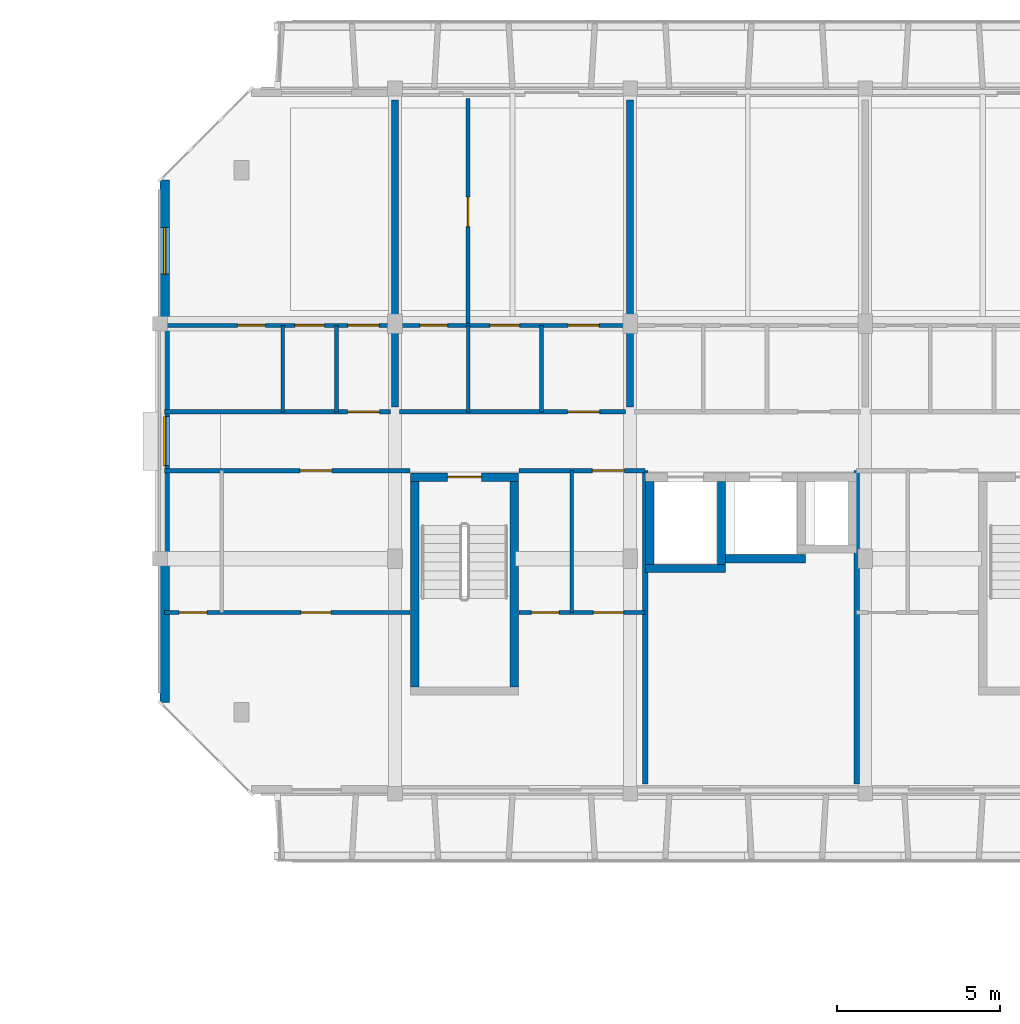
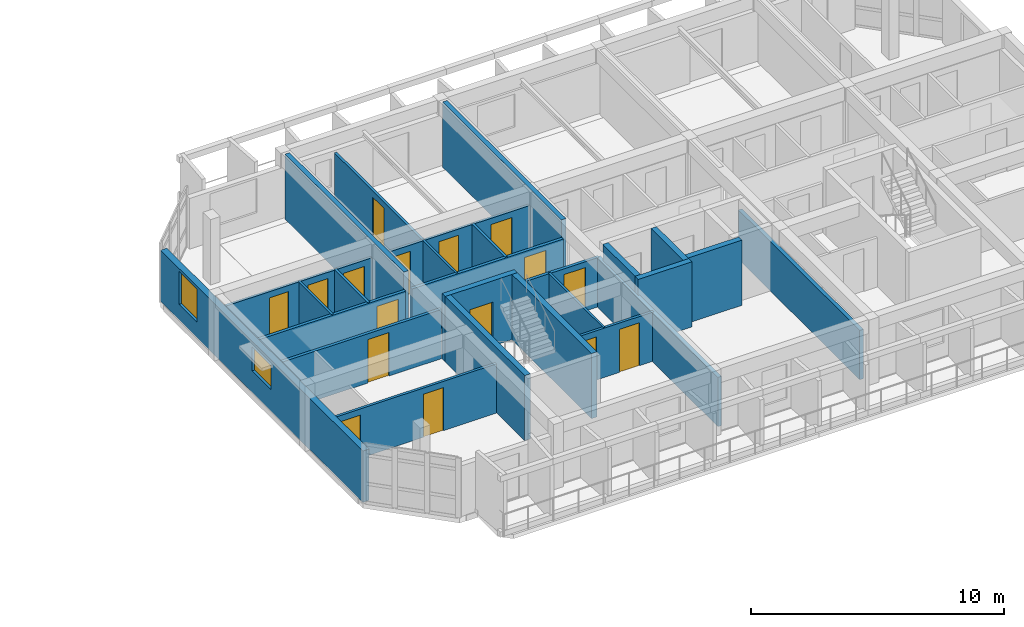
# One storey, part 20 of 31: 26 walls, 16 doors, 2 windows, 18 openings.
"""IFC4 building model written with IfcOpenShell, lengths in metres."""

import ifcopenshell
import ifcopenshell.guid

model = None  # the IFC model being written
_history = None  # IfcOwnerHistory: only IFC2X3 demands one
_inside = {}  # id of a spatial element -> (the spatial element, [elements in it])
_under = {}  # id of a project, library or spatial element -> (it, [spatial elements below it])
_declared = {}  # id of a project -> (the project, [libraries it declares])
_typed = {}  # id of a type object -> (the type object, [elements of that type])
_made_of = {}  # id of a material, layer set ... -> (it, [elements and type objects made of it])


def new_model(schema):
    """Start an empty IFC model of exactly this schema.

    Asked for "IFC4X3", IfcOpenShell would pick the latest addendum, in which some entities
    have other attributes; the version numbers below select the first issue.
    IFC2X3 requires an IfcOwnerHistory on every rooted entity: one is made here for all.
    """
    global model, _history
    if schema == "IFC4X3":
        model = ifcopenshell.file(schema_version=(4, 3, 0, 0))
    else:
        model = ifcopenshell.file(schema=schema)
    _inside.clear()
    _under.clear()
    _declared.clear()
    _typed.clear()
    _made_of.clear()
    _history = None
    if model.schema == "IFC2X3":
        org = make("IfcOrganization", Name="unknown")
        user = make(
            "IfcPersonAndOrganization",
            ThePerson=make("IfcPerson", FamilyName="unknown"),
            TheOrganization=org,
        )
        app = make(
            "IfcApplication",
            ApplicationDeveloper=org,
            Version="unknown",
            ApplicationFullName="unknown",
            ApplicationIdentifier="unknown",
        )
        _history = make(
            "IfcOwnerHistory",
            OwningUser=user,
            OwningApplication=app,
            ChangeAction="ADDED",
            CreationDate=0,
        )
    return model


def make(cls, **values):
    """One entity of the class cls with the attributes given. An attribute that is None is left unset."""
    return model.create_entity(
        cls, **{name: value for name, value in values.items() if value is not None}
    )


def rooted(cls, **values):
    """An entity with a GlobalId (a new one), such as an element, a storey or a relation."""
    return make(cls, GlobalId=ifcopenshell.guid.new(), OwnerHistory=_history, **values)


def si_unit(unit_type, name, prefix=None):
    """IfcSIUnit, for example si_unit("LENGTHUNIT", "METRE", prefix="MILLI")."""
    return make("IfcSIUnit", UnitType=unit_type, Prefix=prefix, Name=name)


def assignment(units):
    """IfcUnitAssignment: the units of a project."""
    return None if units is None else make("IfcUnitAssignment", Units=units)


def point(xyz):
    """IfcCartesianPoint."""
    return None if xyz is None else make("IfcCartesianPoint", Coordinates=xyz)


def direction(xyz):
    """IfcDirection."""
    return None if xyz is None else make("IfcDirection", DirectionRatios=xyz)


def frame(location, z_axis=None, x_axis=None):
    """IfcAxis2Placement3D, a coordinate frame: its origin and axes. An axis left out is left unset."""
    return make(
        "IfcAxis2Placement3D",
        Location=point(location),
        Axis=direction(z_axis),
        RefDirection=direction(x_axis),
    )


def frame_2d(location, x_axis=None):
    """IfcAxis2Placement2D, a coordinate frame in the plane: its origin and x axis."""
    return make(
        "IfcAxis2Placement2D", Location=point(location), RefDirection=direction(x_axis)
    )


def origin():
    """The frame at (0, 0, 0) with its axes left unset."""
    return frame((0.0, 0.0, 0.0))


def place(relative_to, where):
    """IfcLocalPlacement: puts the frame where relative to a parent placement (None: the world)."""
    return make(
        "IfcLocalPlacement", PlacementRelTo=relative_to, RelativePlacement=where
    )


def context(
    kind, dimensions, precision=None, world=None, true_north=None, identifier=None
):
    """IfcGeometricRepresentationContext, for example the 3D "Model" context."""
    return make(
        "IfcGeometricRepresentationContext",
        ContextIdentifier=identifier,
        ContextType=kind,
        CoordinateSpaceDimension=dimensions,
        Precision=precision,
        WorldCoordinateSystem=world,
        TrueNorth=true_north,
    )


def subcontext(parent, identifier, kind, view, scale=None):
    """IfcGeometricRepresentationSubContext, for example "Body" below "Model"."""
    return make(
        "IfcGeometricRepresentationSubContext",
        ContextIdentifier=identifier,
        ContextType=kind,
        ParentContext=parent,
        TargetScale=scale,
        TargetView=view,
    )


def project(units=None, contexts=None):
    """IfcProject with its units and contexts."""
    return rooted(
        "IfcProject",
        Name="project",
        RepresentationContexts=contexts,
        UnitsInContext=assignment(units),
    )


def spatial(cls, under=None, at=None, **own):
    """A site, building, storey or space (cls), placed at a placement, below another one or the project."""
    s = rooted(cls, ObjectPlacement=at, **own)
    if under is not None:
        _under.setdefault(under.id(), (under, []))[1].append(s)
    return s


def profile(cls, at=None, kind="AREA", **sizes):
    """A parametric profile (cls). Its sizes go by their IFC names, for example OverallWidth=200.0."""
    return make(cls, ProfileType=kind, Position=at, **sizes)


def rectangle(**sizes):
    """IfcRectangleProfileDef."""
    return profile("IfcRectangleProfileDef", **sizes)


def extrude(swept, where, along, depth):
    """IfcExtrudedAreaSolid: the profile swept, set in the frame where, extruded along a direction by depth."""
    return make(
        "IfcExtrudedAreaSolid",
        SweptArea=swept,
        Position=where,
        ExtrudedDirection=direction(along),
        Depth=depth,
    )


def shape(context_of_items, identifier, shape_type, items):
    """IfcShapeRepresentation: the items that make up one representation, for example the "Body"."""
    return make(
        "IfcShapeRepresentation",
        ContextOfItems=context_of_items,
        RepresentationIdentifier=identifier,
        RepresentationType=shape_type,
        Items=items,
    )


def material(Name=None, Category=None):
    """IfcMaterial."""
    return make("IfcMaterial", Name=Name, Category=Category)


def layer(
    of_material, thickness, ventilated=None, Name=None, Category=None, Priority=None
):
    """IfcMaterialLayer: one layer of a wall or slab, of a material (None: an air gap)."""
    return make(
        "IfcMaterialLayer",
        Material=of_material,
        LayerThickness=thickness,
        IsVentilated=ventilated,
        Name=Name,
        Category=Category,
        Priority=Priority,
    )


def layer_set(layers, Name=None):
    """IfcMaterialLayerSet."""
    return make("IfcMaterialLayerSet", MaterialLayers=layers, LayerSetName=Name)


def made_of(thing, what):
    """Note that an element or type object is made of a material, layer set ...; save() writes the relation."""
    if what is not None:
        _made_of.setdefault(what.id(), (what, []))[1].append(thing)
    return thing


def type_object(cls, material=None, **own):
    """A type object (cls), such as IfcWallType, which elements share."""
    return made_of(rooted(cls, **own), material)


def element(
    cls,
    number,
    at=None,
    inside=None,
    cuts=None,
    type_object=None,
    material=None,
    context=None,
    identifier="Body",
    shape_type=None,
    held_by="IfcProductDefinitionShape",
    body=None,
    shapes=None,
    **own,
):
    """One element of the class cls, such as IfcWall. Its Tag is "e" and its number.

    at: its placement. inside: the storey or other place that contains it. cuts: it is an
    opening in that element (IfcRelVoidsElement). A single representation is given by context,
    identifier, shape_type and body (its items); several are given by shapes. held_by: the class
    of the entity that holds the representations. save() writes the other relations.
    """
    e = rooted(cls, Tag="e%d" % number, ObjectPlacement=at, **own)
    if body is not None:
        shapes = [shape(context, identifier, shape_type, body)]
    if shapes is not None:
        e.Representation = make(held_by, Representations=shapes)
    if inside is not None:
        _inside.setdefault(inside.id(), (inside, []))[1].append(e)
    if cuts is not None:
        rooted(
            "IfcRelVoidsElement", RelatingBuildingElement=cuts, RelatedOpeningElement=e
        )
    if type_object is not None:
        _typed.setdefault(type_object.id(), (type_object, []))[1].append(e)
    return made_of(e, material)


def fill(opening, filler):
    """IfcRelFillsElement: the door or window that sits in an opening."""
    return rooted(
        "IfcRelFillsElement",
        RelatingOpeningElement=opening,
        RelatedBuildingElement=filler,
    )


def aggregate(whole, parts):
    """IfcRelAggregates: a whole, such as a stair, and the parts it consists of."""
    return rooted("IfcRelAggregates", RelatingObject=whole, RelatedObjects=parts)


def save(model, path):
    """Write the relations noted so far, then the file.

    IfcRelAggregates (storeys below a building ...), IfcRelContainedInSpatialStructure (elements
    in a storey), IfcRelDefinesByType, IfcRelAssociatesMaterial and IfcRelDeclares: one each for
    every whole, place, type object, material and project.
    """
    for whole, parts in _under.values():
        aggregate(whole, parts)
    for where, things in _inside.values():
        rooted(
            "IfcRelContainedInSpatialStructure",
            RelatedElements=things,
            RelatingStructure=where,
        )
    for kind, things in _typed.values():
        rooted("IfcRelDefinesByType", RelatedObjects=things, RelatingType=kind)
    for what, things in _made_of.values():
        rooted("IfcRelAssociatesMaterial", RelatedObjects=things, RelatingMaterial=what)
    for by, libraries in _declared.values():
        rooted("IfcRelDeclares", RelatingContext=by, RelatedDefinitions=libraries)
    model.write(path)


model = new_model("IFC4")

# Units and contexts
model_context = context("Model", 3, precision=1e-05, world=origin(), true_north=direction((0.0, 1.0)))
body_context = subcontext(model_context, "Body", "Model", "MODEL_VIEW")
ifc_project = project(units=[si_unit("LENGTHUNIT", "METRE"), si_unit("AREAUNIT", "SQUARE_METRE"), si_unit("VOLUMEUNIT", "CUBIC_METRE"), si_unit("PLANEANGLEUNIT", "RADIAN"), si_unit("MASSUNIT", "GRAM", prefix="KILO")], contexts=[model_context])

# Site, building, storey
site_placement = place(None, origin())
site = spatial("IfcSite", under=ifc_project, at=site_placement, CompositionType="ELEMENT")
building_placement = place(site_placement, origin())
building = spatial("IfcBuilding", under=site, at=building_placement, Name="Ochrevale Crest", CompositionType="ELEMENT")
storey_placement = place(building_placement, frame((0.0, 0.0, 37.050048828125)))
storey = spatial("IfcBuildingStorey", under=building, at=storey_placement, Name="L11", CompositionType="ELEMENT", Elevation=37.050048828125)

# Wall, opening, door
ifc_material_1 = material(Name="Gypsum plasterboard", Category="gypsum")
ifc_layer_1 = layer(ifc_material_1, 0.139892578125)
ifc_layer_set_1 = layer_set([ifc_layer_1], Name="Gypsum plasterboard")
wall_type_1 = type_object("IfcWallType", Name="WL-COR-140", PredefinedType="PARTITIONING", material=ifc_layer_set_1)
wall_1_placement = place(storey_placement, frame((129.739990234375, 83.699951171875, 0.0), z_axis=(0.0, 0.0, 1.0), x_axis=(1.0, 0.0, 0.0)))
wall_1 = element("IfcWall", 1, at=wall_1_placement, inside=storey, type_object=wall_type_1, Name="Apartment D-L11-U1 corridor wall", PredefinedType="PARTITIONING", context=body_context, shape_type="SweptSolid", body=[
    extrude(rectangle(XDim=6.919921875, YDim=0.139892578125, at=frame_2d((3.4599609375, 0.0))), origin(), (0.0, 0.0, 1.0), 2.3798828125),
])
opening_1_placement = place(wall_1_placement, frame((5.60498046875, 0.0, 0.0)))
opening_1 = element("IfcOpeningElement", 2, at=opening_1_placement, cuts=wall_1, Name="Opening FD01", PredefinedType="OPENING", context=body_context, shape_type="SweptSolid", body=[
    extrude(rectangle(XDim=0.97998046875, YDim=2.10009765625, at=frame_2d((0.489990234375, 1.050048828125))), frame((0.0, 0.080078125, 0.0), z_axis=(0.0, -1.0, 0.0), x_axis=(1.0, 0.0, 0.0)), (0.0, 0.0, 1.0), 0.159912109375),
])
ifc_material_2 = material(Name="Solid-core FSC hardwood", Category="wood")
door_type_1 = type_object("IfcDoorType", Name="DR-APT-950", OperationType="NOTDEFINED", PredefinedType="DOOR", material=ifc_material_2)
door_1_placement = place(opening_1_placement, origin())
door_1 = element("IfcDoor", 3, at=door_1_placement, inside=storey, type_object=door_type_1, Name="Apartment D-L11-U1 entrance door", OperationType="SINGLE_SWING_LEFT", OverallHeight=2.10009765625, OverallWidth=0.97998046875, PredefinedType="DOOR", context=body_context, shape_type="SweptSolid", body=[
    extrude(rectangle(XDim=0.97998046875, YDim=2.10009765625, at=frame_2d((0.489990234375, 1.050048828125))), frame((0.0, 0.02490234375, 0.0), z_axis=(0.0, -1.0, 0.0), x_axis=(1.0, 0.0, 0.0)), (0.0, 0.0, 1.0), 0.050048828125),
])
fill(opening_1, door_1)

wall_2_placement = place(storey_placement, frame((136.93994140625, 83.699951171875, 0.0), z_axis=(0.0, 0.0, 1.0), x_axis=(1.0, 0.0, 0.0)))
wall_2 = element("IfcWall", 4, at=wall_2_placement, inside=storey, type_object=wall_type_1, Name="Apartment D-L11-U2 corridor wall", PredefinedType="PARTITIONING", context=body_context, shape_type="SweptSolid", body=[
    extrude(rectangle(XDim=6.920166015625, YDim=0.139892578125, at=frame_2d((3.4599609375, 0.0))), origin(), (0.0, 0.0, 1.0), 2.3798828125),
])
opening_2_placement = place(wall_2_placement, frame((5.14501953125, 0.0, 0.0)))
opening_2 = element("IfcOpeningElement", 5, at=opening_2_placement, cuts=wall_2, Name="Opening FD01", PredefinedType="OPENING", context=body_context, shape_type="SweptSolid", body=[
    extrude(rectangle(XDim=0.97998046875, YDim=2.10009765625, at=frame_2d((0.489990234375, 1.050048828125))), frame((0.0, 0.080078125, 0.0), z_axis=(0.0, -1.0, 0.0), x_axis=(1.0, 0.0, 0.0)), (0.0, 0.0, 1.0), 0.159912109375),
])
door_2_placement = place(opening_2_placement, origin())
door_2 = element("IfcDoor", 6, at=door_2_placement, inside=storey, type_object=door_type_1, Name="Apartment D-L11-U2 entrance door", OperationType="SINGLE_SWING_LEFT", OverallHeight=2.10009765625, OverallWidth=0.97998046875, PredefinedType="DOOR", context=body_context, shape_type="SweptSolid", body=[
    extrude(rectangle(XDim=0.97998046875, YDim=2.10009765625, at=frame_2d((0.489990234375, 1.050048828125))), frame((0.0, 0.02490234375, 0.0), z_axis=(0.0, -1.0, 0.0), x_axis=(1.0, 0.0, 0.0)), (0.0, 0.0, 1.0), 0.050048828125),
])
fill(opening_2, door_2)

wall_3_placement = place(storey_placement, frame((129.739990234375, 81.89990234375, 0.0), z_axis=(0.0, 0.0, 1.0), x_axis=(1.0, 0.0, 0.0)))
wall_3 = element("IfcWall", 7, at=wall_3_placement, inside=storey, type_object=wall_type_1, Name="Suite D-L11-CW corridor wall", PredefinedType="PARTITIONING", context=body_context, shape_type="SweptSolid", body=[
    extrude(rectangle(XDim=7.52001953125, YDim=0.139892578125, at=frame_2d((3.760009765625, 0.0))), origin(), (0.0, 0.0, 1.0), 2.3798828125),
])
opening_3_placement = place(wall_3_placement, frame((4.14501953125, 0.0, 0.0)))
opening_3 = element("IfcOpeningElement", 8, at=opening_3_placement, cuts=wall_3, Name="Opening FD01", PredefinedType="OPENING", context=body_context, shape_type="SweptSolid", body=[
    extrude(rectangle(XDim=0.97998046875, YDim=2.10009765625, at=frame_2d((0.489990234375, 1.050048828125))), frame((0.0, 0.080078125, 0.0), z_axis=(0.0, -1.0, 0.0), x_axis=(1.0, 0.0, 0.0)), (0.0, 0.0, 1.0), 0.159912109375),
])
door_3_placement = place(opening_3_placement, origin())
door_3 = element("IfcDoor", 9, at=door_3_placement, inside=storey, type_object=door_type_1, Name="Suite D-L11-CW entrance door", OperationType="SINGLE_SWING_LEFT", OverallHeight=2.10009765625, OverallWidth=0.97998046875, PredefinedType="DOOR", context=body_context, shape_type="SweptSolid", body=[
    extrude(rectangle(XDim=0.97998046875, YDim=2.10009765625, at=frame_2d((0.489990234375, 1.050048828125))), frame((0.0, 0.02490234375, 0.0), z_axis=(0.0, -1.0, 0.0), x_axis=(1.0, 0.0, 0.0)), (0.0, 0.0, 1.0), 0.050048828125),
])
fill(opening_3, door_3)

wall_4_placement = place(storey_placement, frame((140.590087890625, 81.89990234375, 0.0), z_axis=(0.0, 0.0, 1.0), x_axis=(1.0, 0.0, 0.0)))
wall_4 = element("IfcWall", 10, at=wall_4_placement, inside=storey, type_object=wall_type_1, Name="Suite D-L11-MW corridor wall", PredefinedType="PARTITIONING", context=body_context, shape_type="SweptSolid", body=[
    extrude(rectangle(XDim=3.869873046875, YDim=0.139892578125, at=frame_2d((1.93505859375, 0.0))), origin(), (0.0, 0.0, 1.0), 2.3798828125),
])
opening_4_placement = place(wall_4_placement, frame((3.23779296875, 0.0, 0.0), z_axis=(0.0, 0.0, 1.0), x_axis=(-1.0, 0.0, 0.0)))
opening_4 = element("IfcOpeningElement", 11, at=opening_4_placement, cuts=wall_4, Name="Opening FD01", PredefinedType="OPENING", context=body_context, shape_type="SweptSolid", body=[
    extrude(rectangle(XDim=0.97998046875, YDim=2.10009765625, at=frame_2d((0.489990234375, 1.050048828125))), frame((0.0, 0.080078125, 0.0), z_axis=(0.0, -1.0, 0.0), x_axis=(1.0, 0.0, 0.0)), (0.0, 0.0, 1.0), 0.159912109375),
])
door_4_placement = place(opening_4_placement, origin())
door_4 = element("IfcDoor", 12, at=door_4_placement, inside=storey, type_object=door_type_1, Name="Suite D-L11-MW entrance door", OperationType="SINGLE_SWING_RIGHT", OverallHeight=2.10009765625, OverallWidth=0.97998046875, PredefinedType="DOOR", context=body_context, shape_type="SweptSolid", body=[
    extrude(rectangle(XDim=0.97998046875, YDim=2.10009765625, at=frame_2d((0.489990234375, 1.050048828125))), frame((0.0, 0.02490234375, 0.0), z_axis=(0.0, -1.0, 0.0), x_axis=(1.0, 0.0, 0.0)), (0.0, 0.0, 1.0), 0.050048828125),
])
fill(opening_4, door_4)

ifc_material_3 = material(Name="Precast concrete C50/60", Category="concrete")
ifc_layer_2 = layer(ifc_material_3, 0.2548828125)
ifc_layer_set_2 = layer_set([ifc_layer_2], Name="Precast concrete C50/60")
wall_type_2 = type_object("IfcWallType", Name="WL-CORE-255", PredefinedType="SHEAR", material=ifc_layer_set_2)
wall_5_placement = place(storey_placement, frame((137.2724609375, 81.699951171875, 0.0), z_axis=(0.0, 0.0, 1.0), x_axis=(1.0, 0.0, 0.0)))
wall_5 = element("IfcWall", 13, at=wall_5_placement, inside=storey, type_object=wall_type_2, Name="Block D L11 Stair 1 precast core shear wall N", PredefinedType="SHEAR", context=body_context, shape_type="SweptSolid", body=[
    extrude(rectangle(XDim=3.304931640625, YDim=0.2548828125, at=frame_2d((1.65234375, 0.0))), origin(), (0.0, 0.0, 1.0), 3.14990234375),
])
opening_5_placement = place(wall_5_placement, frame((2.177490234375, 0.0, 0.0), z_axis=(0.0, 0.0, 1.0), x_axis=(-1.0, 0.0, 0.0)))
opening_5 = element("IfcOpeningElement", 14, at=opening_5_placement, cuts=wall_5, Name="Opening FD03", PredefinedType="OPENING", context=body_context, shape_type="SweptSolid", body=[
    extrude(rectangle(XDim=1.050048828125, YDim=2.1201171875, at=frame_2d((0.52490234375, 1.06005859375))), frame((0.0, 0.137451171875, 0.0), z_axis=(0.0, -1.0, 0.0), x_axis=(1.0, 0.0, 0.0)), (0.0, 0.0, 1.0), 0.27490234375),
])
door_type_2 = type_object("IfcDoorType", Name="DR-ST-1050", OperationType="NOTDEFINED", PredefinedType="DOOR", material=ifc_material_2)
door_5_placement = place(opening_5_placement, origin())
door_5 = element("IfcDoor", 15, at=door_5_placement, inside=storey, type_object=door_type_2, Name="Block D L11 fire stair 1 door", OperationType="SINGLE_SWING_RIGHT", OverallHeight=2.1201171875, OverallWidth=1.050048828125, PredefinedType="DOOR", context=body_context, shape_type="SweptSolid", body=[
    extrude(rectangle(XDim=1.050048828125, YDim=2.1201171875, at=frame_2d((0.52490234375, 1.06005859375))), frame((0.0, 0.02490234375, 0.0), z_axis=(0.0, -1.0, 0.0), x_axis=(1.0, 0.0, 0.0)), (0.0, 0.0, 1.0), 0.050048828125),
])
fill(opening_5, door_5)

# Walls
for number, where, z_axis, x_axis, name in (
    (16, (137.39990234375, 75.277587890625, 0.0), (0.0, 0.0, 1.0), (0.0, 1.0, 0.0), "Block D L11 Stair 1 precast core shear wall W"),
    (17, (140.449951171875, 75.277587890625, 0.0), (0.0, 0.0, 1.0), (0.0, 1.0, 0.0), "Block D L11 Stair 1 precast core shear wall E"),
):
    element("IfcWall", number, at=place(storey_placement, frame(where, z_axis=z_axis, x_axis=x_axis)), inside=storey, type_object=wall_type_2, Name=name, PredefinedType="SHEAR", context=body_context, shape_type="SweptSolid", body=[
        extrude(rectangle(XDim=6.294921875, YDim=0.2548828125, at=frame_2d((3.1474609375, 0.0))), origin(), (0.0, 0.0, 1.0), 3.14990234375),
    ])
wall_6_placement = place(storey_placement, frame((144.472412109375, 78.89990234375, 0.0), z_axis=(0.0, 0.0, 1.0), x_axis=(1.0, 0.0, 0.0)))
element("IfcWall", 18, at=wall_6_placement, inside=storey, type_object=wall_type_2, Name="Block D L11 Lift 1 precast shaft shear wall S", PredefinedType="SHEAR", context=body_context, shape_type="SweptSolid", body=[
    extrude(rectangle(XDim=2.455078125, YDim=0.2548828125, at=frame_2d((1.2275390625, 0.0))), origin(), (0.0, 0.0, 1.0), 3.14990234375),
])
for number, where, z_axis, x_axis, name in (
    (19, (144.60009765625, 79.027587890625, 0.0), (0.0, 0.0, 1.0), (0.0, 1.0, 0.0), "Block D L11 Lift 1 precast shaft shear wall W"),
    (20, (146.800048828125, 79.027587890625, 0.0), (0.0, 0.0, 1.0), (0.0, 1.0, 0.0), "Block D L11 Lift 1 precast shaft shear wall E"),
):
    element("IfcWall", number, at=place(storey_placement, frame(where, z_axis=z_axis, x_axis=x_axis)), inside=storey, type_object=wall_type_2, Name=name, PredefinedType="SHEAR", context=body_context, shape_type="SweptSolid", body=[
        extrude(rectangle(XDim=2.544921875, YDim=0.2548828125, at=frame_2d((1.2724609375, 0.0))), origin(), (0.0, 0.0, 1.0), 3.14990234375),
    ])
wall_7_placement = place(storey_placement, frame((146.922607421875, 79.199951171875, 0.0), z_axis=(0.0, 0.0, 1.0), x_axis=(1.0, 0.0, 0.0)))
element("IfcWall", 21, at=wall_7_placement, inside=storey, type_object=wall_type_2, Name="Block D L11 Lift 2 precast shaft shear wall S", PredefinedType="SHEAR", context=body_context, shape_type="SweptSolid", body=[
    extrude(rectangle(XDim=2.454833984375, YDim=0.2548828125, at=frame_2d((1.2275390625, 0.0))), origin(), (0.0, 0.0, 1.0), 3.14990234375),
])

# Wall, openings, windows
ifc_material_4 = material(Name="Clay face brickwork", Category="masonry")
ifc_layer_3 = layer(ifc_material_4, 0.2900390625)
ifc_layer_set_3 = layer_set([ifc_layer_3], Name="Clay face brickwork")
wall_type_3 = type_object("IfcWallType", Name="WL-EXT-BRICK-290", PredefinedType="SOLIDWALL", material=ifc_layer_set_3)
wall_8_placement = place(storey_placement, frame((129.7451171875, 90.800048828125, 0.0), z_axis=(0.0, 0.0, 1.0), x_axis=(0.0, -1.0, 0.0)))
wall_8 = element("IfcWall", 22, at=wall_8_placement, inside=storey, type_object=wall_type_3, Name="Block D L11 external facade wall E7", PredefinedType="SOLIDWALL", context=body_context, shape_type="SweptSolid", body=[
    extrude(rectangle(XDim=16.0, YDim=0.2900390625, at=frame_2d((8.0, 0.0))), origin(), (0.0, 0.0, 1.0), 2.47998046875),
])
opening_6_placement = place(wall_8_placement, frame((7.25, 0.0, 1.050048828125)))
opening_6 = element("IfcOpeningElement", 23, at=opening_6_placement, cuts=wall_8, Name="Opening W18", PredefinedType="OPENING", context=body_context, shape_type="SweptSolid", body=[
    extrude(rectangle(XDim=1.5, YDim=1.14990234375, at=frame_2d((0.75, 0.574951171875))), frame((0.0, 0.155029296875, 0.0), z_axis=(0.0, -1.0, 0.0), x_axis=(1.0, 0.0, 0.0)), (0.0, 0.0, 1.0), 0.31005859375),
])
opening_7_placement = place(wall_8_placement, frame((1.46240234375, 0.0, 0.75)))
opening_7 = element("IfcOpeningElement", 24, at=opening_7_placement, cuts=wall_8, Name="Opening W31", PredefinedType="OPENING", context=body_context, shape_type="SweptSolid", body=[
    extrude(rectangle(XDim=1.419921875, YDim=1.60009765625, at=frame_2d((0.7099609375, 0.800048828125))), frame((0.0, 0.155029296875, 0.0), z_axis=(0.0, -1.0, 0.0), x_axis=(1.0, 0.0, 0.0)), (0.0, 0.0, 1.0), 0.31005859375),
])
ifc_material_5 = material(Name="Anodised aluminium 6063-T5 and low-E double glazing", Category="aluminium")
window_type_1 = type_object("IfcWindowType", Name="WIN-W18", PartitioningType="SINGLE_PANEL", PredefinedType="WINDOW", material=ifc_material_5)
window_1_placement = place(opening_6_placement, origin())
window_1 = element("IfcWindow", 25, at=window_1_placement, inside=storey, type_object=window_type_1, Name="Block D L11 corridor end daylight window W", OverallHeight=1.14990234375, OverallWidth=1.5, PartitioningType="SINGLE_PANEL", PredefinedType="WINDOW", context=body_context, shape_type="SweptSolid", body=[
    extrude(rectangle(XDim=1.5, YDim=1.14990234375, at=frame_2d((0.75, 0.574951171875))), frame((0.0, 0.030029296875, 0.0), z_axis=(0.0, -1.0, 0.0), x_axis=(1.0, 0.0, 0.0)), (0.0, 0.0, 1.0), 0.06005859375),
])
fill(opening_6, window_1)
window_type_2 = type_object("IfcWindowType", Name="WIN-W31", PartitioningType="SINGLE_PANEL", PredefinedType="WINDOW", material=ifc_material_5)
window_2_placement = place(opening_7_placement, origin())
window_2 = element("IfcWindow", 26, at=window_2_placement, inside=storey, type_object=window_type_2, Name="Block D L11 side suite window W", OverallHeight=1.60009765625, OverallWidth=1.419921875, PartitioningType="SINGLE_PANEL", PredefinedType="WINDOW", context=body_context, shape_type="SweptSolid", body=[
    extrude(rectangle(XDim=1.419921875, YDim=1.60009765625, at=frame_2d((0.7099609375, 0.800048828125))), frame((0.0, 0.030029296875, 0.0), z_axis=(0.0, -1.0, 0.0), x_axis=(1.0, 0.0, 0.0)), (0.0, 0.0, 1.0), 0.06005859375),
])
fill(opening_7, window_2)

# Wall
ifc_layer_4 = layer(ifc_material_1, 0.1201171875)
ifc_layer_set_4 = layer_set([ifc_layer_4], Name="Gypsum plasterboard")
wall_type_4 = type_object("IfcWallType", Name="WL-PART-120", PredefinedType="PARTITIONING", material=ifc_layer_set_4)
wall_9_placement = place(storey_placement, frame((135.010009765625, 83.699951171875, 0.0), z_axis=(0.0, 0.0, 1.0), x_axis=(0.0, 1.0, 0.0)))
element("IfcWall", 27, at=wall_9_placement, inside=storey, type_object=wall_type_4, Name="Apartment D-L11-U1 kitchen-foyer wall", PredefinedType="PARTITIONING", context=body_context, shape_type="SweptSolid", body=[
    extrude(rectangle(XDim=2.650146484375, YDim=0.1201171875, at=frame_2d((1.3251953125, 0.0))), origin(), (0.0, 0.0, 1.0), 2.3798828125),
])

# Wall, openings, doors
wall_10_placement = place(storey_placement, frame((129.739990234375, 86.35009765625, 0.0), z_axis=(0.0, 0.0, 1.0), x_axis=(1.0, 0.0, 0.0)))
wall_10 = element("IfcWall", 28, at=wall_10_placement, inside=storey, type_object=wall_type_4, Name="Apartment D-L11-U1 central partition", PredefinedType="PARTITIONING", context=body_context, shape_type="SweptSolid", body=[
    extrude(rectangle(XDim=6.919921875, YDim=0.1201171875, at=frame_2d((3.4599609375, 0.0))), origin(), (0.0, 0.0, 1.0), 2.3798828125),
])
opening_8_placement = place(wall_10_placement, frame((3.090087890625, 0.0, 0.0), z_axis=(0.0, 0.0, 1.0), x_axis=(-1.0, 0.0, 0.0)))
opening_8 = element("IfcOpeningElement", 29, at=opening_8_placement, cuts=wall_10, Name="Opening ID01", PredefinedType="OPENING", context=body_context, shape_type="SweptSolid", body=[
    extrude(rectangle(XDim=0.85009765625, YDim=2.080078125, at=frame_2d((0.425048828125, 1.0400390625))), frame((0.0, 0.070068359375, 0.0), z_axis=(0.0, -1.0, 0.0), x_axis=(1.0, 0.0, 0.0)), (0.0, 0.0, 1.0), 0.14013671875),
])
opening_9_placement = place(wall_10_placement, frame((3.9951171875, 0.0, 0.0)))
opening_9 = element("IfcOpeningElement", 30, at=opening_9_placement, cuts=wall_10, Name="Opening ID02", PredefinedType="OPENING", context=body_context, shape_type="SweptSolid", body=[
    extrude(rectangle(XDim=0.89990234375, YDim=2.080078125, at=frame_2d((0.449951171875, 1.0400390625))), frame((0.0, 0.070068359375, 0.0), z_axis=(0.0, -1.0, 0.0), x_axis=(1.0, 0.0, 0.0)), (0.0, 0.0, 1.0), 0.14013671875),
])
opening_10_placement = place(wall_10_placement, frame((6.570068359375, 0.0, 0.0), z_axis=(0.0, 0.0, 1.0), x_axis=(-1.0, 0.0, 0.0)))
opening_10 = element("IfcOpeningElement", 31, at=opening_10_placement, cuts=wall_10, Name="Opening ID06", PredefinedType="OPENING", context=body_context, shape_type="SweptSolid", body=[
    extrude(rectangle(XDim=0.949951171875, YDim=2.080078125, at=frame_2d((0.47509765625, 1.0400390625))), frame((0.0, 0.070068359375, 0.0), z_axis=(0.0, -1.0, 0.0), x_axis=(1.0, 0.0, 0.0)), (0.0, 0.0, 1.0), 0.14013671875),
])
door_type_3 = type_object("IfcDoorType", Name="DR-INT-900", OperationType="NOTDEFINED", PredefinedType="DOOR", material=ifc_material_2)
door_6_placement = place(opening_9_placement, origin())
door_6 = element("IfcDoor", 32, at=door_6_placement, inside=storey, type_object=door_type_3, Name="Apartment D-L11-U1 Kitchen door", OperationType="SINGLE_SWING_LEFT", OverallHeight=2.080078125, OverallWidth=0.89990234375, PredefinedType="DOOR", context=body_context, shape_type="SweptSolid", body=[
    extrude(rectangle(XDim=0.89990234375, YDim=2.080078125, at=frame_2d((0.449951171875, 1.0400390625))), frame((0.0, 0.02490234375, 0.0), z_axis=(0.0, -1.0, 0.0), x_axis=(1.0, 0.0, 0.0)), (0.0, 0.0, 1.0), 0.050048828125),
])
fill(opening_9, door_6)
door_type_4 = type_object("IfcDoorType", Name="DR-INT-950", OperationType="NOTDEFINED", PredefinedType="DOOR", material=ifc_material_2)
door_7_placement = place(opening_10_placement, origin())
door_7 = element("IfcDoor", 33, at=door_7_placement, inside=storey, type_object=door_type_4, Name="Apartment D-L11-U1 Living Foyer door", OperationType="SINGLE_SWING_RIGHT", OverallHeight=2.080078125, OverallWidth=0.949951171875, PredefinedType="DOOR", context=body_context, shape_type="SweptSolid", body=[
    extrude(rectangle(XDim=0.949951171875, YDim=2.080078125, at=frame_2d((0.47509765625, 1.0400390625))), frame((0.0, 0.02490234375, 0.0), z_axis=(0.0, -1.0, 0.0), x_axis=(1.0, 0.0, 0.0)), (0.0, 0.0, 1.0), 0.050048828125),
])
fill(opening_10, door_7)
door_type_5 = type_object("IfcDoorType", Name="DR-WC-850", OperationType="NOTDEFINED", PredefinedType="DOOR", material=ifc_material_2)
door_8_placement = place(opening_8_placement, origin())
door_8 = element("IfcDoor", 34, at=door_8_placement, inside=storey, type_object=door_type_5, Name="Apartment D-L11-U1 Bathroom door", OperationType="SINGLE_SWING_RIGHT", OverallHeight=2.080078125, OverallWidth=0.85009765625, PredefinedType="DOOR", context=body_context, shape_type="SweptSolid", body=[
    extrude(rectangle(XDim=0.85009765625, YDim=2.080078125, at=frame_2d((0.425048828125, 1.0400390625))), frame((0.0, 0.02490234375, 0.0), z_axis=(0.0, -1.0, 0.0), x_axis=(1.0, 0.0, 0.0)), (0.0, 0.0, 1.0), 0.050048828125),
])
fill(opening_8, door_8)

# Wall
wall_11_placement = place(storey_placement, frame((141.2900390625, 83.699951171875, 0.0), z_axis=(0.0, 0.0, 1.0), x_axis=(0.0, 1.0, 0.0)))
element("IfcWall", 35, at=wall_11_placement, inside=storey, type_object=wall_type_4, Name="Apartment D-L11-U2 kitchen-foyer wall", PredefinedType="PARTITIONING", context=body_context, shape_type="SweptSolid", body=[
    extrude(rectangle(XDim=2.650146484375, YDim=0.1201171875, at=frame_2d((1.3251953125, 0.0))), origin(), (0.0, 0.0, 1.0), 2.3798828125),
])

# Wall, openings, doors
wall_12_placement = place(storey_placement, frame((136.93994140625, 86.35009765625, 0.0), z_axis=(0.0, 0.0, 1.0), x_axis=(1.0, 0.0, 0.0)))
wall_12 = element("IfcWall", 36, at=wall_12_placement, inside=storey, type_object=wall_type_4, Name="Apartment D-L11-U2 central partition", PredefinedType="PARTITIONING", context=body_context, shape_type="SweptSolid", body=[
    extrude(rectangle(XDim=6.920166015625, YDim=0.1201171875, at=frame_2d((3.4599609375, 0.0))), origin(), (0.0, 0.0, 1.0), 2.3798828125),
])
opening_11_placement = place(wall_12_placement, frame((1.47509765625, 0.0, 0.0), z_axis=(0.0, 0.0, 1.0), x_axis=(-1.0, 0.0, 0.0)))
opening_11 = element("IfcOpeningElement", 37, at=opening_11_placement, cuts=wall_12, Name="Opening ID01", PredefinedType="OPENING", context=body_context, shape_type="SweptSolid", body=[
    extrude(rectangle(XDim=0.85009765625, YDim=2.080078125, at=frame_2d((0.425048828125, 1.0400390625))), frame((0.0, 0.070068359375, 0.0), z_axis=(0.0, -1.0, 0.0), x_axis=(1.0, 0.0, 0.0)), (0.0, 0.0, 1.0), 0.14013671875),
])
opening_12_placement = place(wall_12_placement, frame((2.77490234375, 0.0, 0.0)))
opening_12 = element("IfcOpeningElement", 38, at=opening_12_placement, cuts=wall_12, Name="Opening ID02", PredefinedType="OPENING", context=body_context, shape_type="SweptSolid", body=[
    extrude(rectangle(XDim=0.89990234375, YDim=2.080078125, at=frame_2d((0.449951171875, 1.0400390625))), frame((0.0, 0.070068359375, 0.0), z_axis=(0.0, -1.0, 0.0), x_axis=(1.0, 0.0, 0.0)), (0.0, 0.0, 1.0), 0.14013671875),
])
opening_13_placement = place(wall_12_placement, frame((6.10986328125, 0.0, 0.0), z_axis=(0.0, 0.0, 1.0), x_axis=(-1.0, 0.0, 0.0)))
opening_13 = element("IfcOpeningElement", 39, at=opening_13_placement, cuts=wall_12, Name="Opening ID06", PredefinedType="OPENING", context=body_context, shape_type="SweptSolid", body=[
    extrude(rectangle(XDim=0.949951171875, YDim=2.080078125, at=frame_2d((0.47509765625, 1.0400390625))), frame((0.0, 0.070068359375, 0.0), z_axis=(0.0, -1.0, 0.0), x_axis=(1.0, 0.0, 0.0)), (0.0, 0.0, 1.0), 0.14013671875),
])
door_9_placement = place(opening_12_placement, origin())
door_9 = element("IfcDoor", 40, at=door_9_placement, inside=storey, type_object=door_type_3, Name="Apartment D-L11-U2 Kitchen door", OperationType="SINGLE_SWING_LEFT", OverallHeight=2.080078125, OverallWidth=0.89990234375, PredefinedType="DOOR", context=body_context, shape_type="SweptSolid", body=[
    extrude(rectangle(XDim=0.89990234375, YDim=2.080078125, at=frame_2d((0.449951171875, 1.0400390625))), frame((0.0, 0.02490234375, 0.0), z_axis=(0.0, -1.0, 0.0), x_axis=(1.0, 0.0, 0.0)), (0.0, 0.0, 1.0), 0.050048828125),
])
fill(opening_12, door_9)
door_10_placement = place(opening_13_placement, origin())
door_10 = element("IfcDoor", 41, at=door_10_placement, inside=storey, type_object=door_type_4, Name="Apartment D-L11-U2 Living Foyer door", OperationType="SINGLE_SWING_RIGHT", OverallHeight=2.080078125, OverallWidth=0.949951171875, PredefinedType="DOOR", context=body_context, shape_type="SweptSolid", body=[
    extrude(rectangle(XDim=0.949951171875, YDim=2.080078125, at=frame_2d((0.47509765625, 1.0400390625))), frame((0.0, 0.02490234375, 0.0), z_axis=(0.0, -1.0, 0.0), x_axis=(1.0, 0.0, 0.0)), (0.0, 0.0, 1.0), 0.050048828125),
])
fill(opening_13, door_10)
door_11_placement = place(opening_11_placement, origin())
door_11 = element("IfcDoor", 42, at=door_11_placement, inside=storey, type_object=door_type_5, Name="Apartment D-L11-U2 Bathroom door", OperationType="SINGLE_SWING_RIGHT", OverallHeight=2.080078125, OverallWidth=0.85009765625, PredefinedType="DOOR", context=body_context, shape_type="SweptSolid", body=[
    extrude(rectangle(XDim=0.85009765625, YDim=2.080078125, at=frame_2d((0.425048828125, 1.0400390625))), frame((0.0, 0.02490234375, 0.0), z_axis=(0.0, -1.0, 0.0), x_axis=(1.0, 0.0, 0.0)), (0.0, 0.0, 1.0), 0.050048828125),
])
fill(opening_11, door_11)

# Wall, opening, door
wall_13_placement = place(storey_placement, frame((139.0400390625, 86.35009765625, 0.0), z_axis=(0.0, 0.0, 1.0), x_axis=(0.0, 1.0, 0.0)))
wall_13 = element("IfcWall", 43, at=wall_13_placement, inside=storey, type_object=wall_type_4, Name="Apartment D-L11-U2 bedroom partition", PredefinedType="PARTITIONING", context=body_context, shape_type="SweptSolid", body=[
    extrude(rectangle(XDim=6.949951171875, YDim=0.1201171875, at=frame_2d((3.47509765625, 0.0))), origin(), (0.0, 0.0, 1.0), 2.3798828125),
])
opening_14_placement = place(wall_13_placement, frame((3.02490234375, 0.0, 0.0)))
opening_14 = element("IfcOpeningElement", 44, at=opening_14_placement, cuts=wall_13, Name="Opening ID02", PredefinedType="OPENING", context=body_context, shape_type="SweptSolid", body=[
    extrude(rectangle(XDim=0.89990234375, YDim=2.080078125, at=frame_2d((0.449951171875, 1.0400390625))), frame((0.0, 0.070068359375, 0.0), z_axis=(0.0, -1.0, 0.0), x_axis=(1.0, 0.0, 0.0)), (0.0, 0.0, 1.0), 0.14013671875),
])
door_12_placement = place(opening_14_placement, origin())
door_12 = element("IfcDoor", 45, at=door_12_placement, inside=storey, type_object=door_type_3, Name="Apartment D-L11-U2 Master Bedroom door", OperationType="SINGLE_SWING_LEFT", OverallHeight=2.080078125, OverallWidth=0.89990234375, PredefinedType="DOOR", context=body_context, shape_type="SweptSolid", body=[
    extrude(rectangle(XDim=0.89990234375, YDim=2.080078125, at=frame_2d((0.449951171875, 1.0400390625))), frame((0.0, 0.02490234375, 0.0), z_axis=(0.0, -1.0, 0.0), x_axis=(1.0, 0.0, 0.0)), (0.0, 0.0, 1.0), 0.050048828125),
])
fill(opening_14, door_12)

# Wall, openings, doors
wall_14_placement = place(storey_placement, frame((129.739990234375, 77.550048828125, 0.0), z_axis=(0.0, 0.0, 1.0), x_axis=(1.0, 0.0, 0.0)))
wall_14 = element("IfcWall", 46, at=wall_14_placement, inside=storey, type_object=wall_type_4, Name="Suite D-L11-CW internal wall", PredefinedType="PARTITIONING", context=body_context, shape_type="SweptSolid", body=[
    extrude(rectangle(XDim=7.52001953125, YDim=0.1201171875, at=frame_2d((3.760009765625, 0.0))), origin(), (0.0, 0.0, 1.0), 2.3798828125),
])
opening_15_placement = place(wall_14_placement, frame((1.300048828125, 0.0, 0.0), z_axis=(0.0, 0.0, 1.0), x_axis=(-1.0, 0.0, 0.0)))
opening_15 = element("IfcOpeningElement", 47, at=opening_15_placement, cuts=wall_14, Name="Opening ID01", PredefinedType="OPENING", context=body_context, shape_type="SweptSolid", body=[
    extrude(rectangle(XDim=0.85009765625, YDim=2.080078125, at=frame_2d((0.425048828125, 1.0400390625))), frame((0.0, 0.070068359375, 0.0), z_axis=(0.0, -1.0, 0.0), x_axis=(1.0, 0.0, 0.0)), (0.0, 0.0, 1.0), 0.14013671875),
])
opening_16_placement = place(wall_14_placement, frame((4.175048828125, 0.0, 0.0)))
opening_16 = element("IfcOpeningElement", 48, at=opening_16_placement, cuts=wall_14, Name="Opening ID04", PredefinedType="OPENING", context=body_context, shape_type="SweptSolid", body=[
    extrude(rectangle(XDim=0.919921875, YDim=2.080078125, at=frame_2d((0.4599609375, 1.0400390625))), frame((0.0, 0.070068359375, 0.0), z_axis=(0.0, -1.0, 0.0), x_axis=(1.0, 0.0, 0.0)), (0.0, 0.0, 1.0), 0.14013671875),
])
door_type_6 = type_object("IfcDoorType", Name="DR-INT-920", OperationType="NOTDEFINED", PredefinedType="DOOR", material=ifc_material_2)
door_13_placement = place(opening_16_placement, origin())
door_13 = element("IfcDoor", 49, at=door_13_placement, inside=storey, type_object=door_type_6, Name="Suite D-L11-CW Garden Alcove Studio door", OperationType="SINGLE_SWING_LEFT", OverallHeight=2.080078125, OverallWidth=0.919921875, PredefinedType="DOOR", context=body_context, shape_type="SweptSolid", body=[
    extrude(rectangle(XDim=0.919921875, YDim=2.080078125, at=frame_2d((0.4599609375, 1.0400390625))), frame((0.0, 0.02490234375, 0.0), z_axis=(0.0, -1.0, 0.0), x_axis=(1.0, 0.0, 0.0)), (0.0, 0.0, 1.0), 0.050048828125),
])
fill(opening_16, door_13)
door_14_placement = place(opening_15_placement, origin())
door_14 = element("IfcDoor", 50, at=door_14_placement, inside=storey, type_object=door_type_5, Name="Suite D-L11-CW Bathroom door", OperationType="SINGLE_SWING_RIGHT", OverallHeight=2.080078125, OverallWidth=0.85009765625, PredefinedType="DOOR", context=body_context, shape_type="SweptSolid", body=[
    extrude(rectangle(XDim=0.85009765625, YDim=2.080078125, at=frame_2d((0.425048828125, 1.0400390625))), frame((0.0, 0.02490234375, 0.0), z_axis=(0.0, -1.0, 0.0), x_axis=(1.0, 0.0, 0.0)), (0.0, 0.0, 1.0), 0.050048828125),
])
fill(opening_15, door_14)

wall_15_placement = place(storey_placement, frame((140.590087890625, 77.550048828125, 0.0), z_axis=(0.0, 0.0, 1.0), x_axis=(1.0, 0.0, 0.0)))
wall_15 = element("IfcWall", 51, at=wall_15_placement, inside=storey, type_object=wall_type_4, Name="Suite D-L11-MW internal wall", PredefinedType="PARTITIONING", context=body_context, shape_type="SweptSolid", body=[
    extrude(rectangle(XDim=3.869873046875, YDim=0.1201171875, at=frame_2d((1.93505859375, 0.0))), origin(), (0.0, 0.0, 1.0), 2.3798828125),
])
opening_17_placement = place(wall_15_placement, frame((0.3876953125, 0.0, 0.0)))
opening_17 = element("IfcOpeningElement", 52, at=opening_17_placement, cuts=wall_15, Name="Opening ID01", PredefinedType="OPENING", context=body_context, shape_type="SweptSolid", body=[
    extrude(rectangle(XDim=0.85009765625, YDim=2.080078125, at=frame_2d((0.425048828125, 1.0400390625))), frame((0.0, 0.070068359375, 0.0), z_axis=(0.0, -1.0, 0.0), x_axis=(1.0, 0.0, 0.0)), (0.0, 0.0, 1.0), 0.14013671875),
])
opening_18_placement = place(wall_15_placement, frame((3.20751953125, 0.0, 0.0), z_axis=(0.0, 0.0, 1.0), x_axis=(-1.0, 0.0, 0.0)))
opening_18 = element("IfcOpeningElement", 53, at=opening_18_placement, cuts=wall_15, Name="Opening ID04", PredefinedType="OPENING", context=body_context, shape_type="SweptSolid", body=[
    extrude(rectangle(XDim=0.919921875, YDim=2.080078125, at=frame_2d((0.4599609375, 1.0400390625))), frame((0.0, 0.070068359375, 0.0), z_axis=(0.0, -1.0, 0.0), x_axis=(1.0, 0.0, 0.0)), (0.0, 0.0, 1.0), 0.14013671875),
])
door_15_placement = place(opening_18_placement, origin())
door_15 = element("IfcDoor", 54, at=door_15_placement, inside=storey, type_object=door_type_6, Name="Suite D-L11-MW Courtyard Studio Living door", OperationType="SINGLE_SWING_RIGHT", OverallHeight=2.080078125, OverallWidth=0.919921875, PredefinedType="DOOR", context=body_context, shape_type="SweptSolid", body=[
    extrude(rectangle(XDim=0.919921875, YDim=2.080078125, at=frame_2d((0.4599609375, 1.0400390625))), frame((0.0, 0.02490234375, 0.0), z_axis=(0.0, -1.0, 0.0), x_axis=(1.0, 0.0, 0.0)), (0.0, 0.0, 1.0), 0.050048828125),
])
fill(opening_18, door_15)
door_16_placement = place(opening_17_placement, origin())
door_16 = element("IfcDoor", 55, at=door_16_placement, inside=storey, type_object=door_type_5, Name="Suite D-L11-MW Bathroom door", OperationType="SINGLE_SWING_LEFT", OverallHeight=2.080078125, OverallWidth=0.85009765625, PredefinedType="DOOR", context=body_context, shape_type="SweptSolid", body=[
    extrude(rectangle(XDim=0.85009765625, YDim=2.080078125, at=frame_2d((0.425048828125, 1.0400390625))), frame((0.0, 0.02490234375, 0.0), z_axis=(0.0, -1.0, 0.0), x_axis=(1.0, 0.0, 0.0)), (0.0, 0.0, 1.0), 0.050048828125),
])
fill(opening_17, door_16)

# Walls
ifc_material_6 = material(Name="Precast concrete C40/50", Category="concrete")
ifc_layer_5 = layer(ifc_material_6, 0.2099609375)
ifc_layer_set_5 = layer_set([ifc_layer_5], Name="Precast concrete C40/50")
wall_type_5 = type_object("IfcWallType", Name="WL-SHEAR-210", PredefinedType="SHEAR", material=ifc_layer_set_5)
for number, where, z_axis, x_axis, name in (
    (56, (136.800048828125, 83.85009765625, 0.0), (0.0, 0.0, 1.0), (0.0, 1.0, 0.0), "Block D L11 load-bearing precast cross-wall X=136.8"),
    (57, (144.0, 83.85009765625, 0.0), (0.0, 0.0, 1.0), (0.0, 1.0, 0.0), "Block D L11 load-bearing precast cross-wall X=144.0"),
):
    element("IfcWall", number, at=place(storey_placement, frame(where, z_axis=z_axis, x_axis=x_axis)), inside=storey, type_object=wall_type_5, Name=name, PredefinedType="SHEAR", context=body_context, shape_type="SweptSolid", body=[
        extrude(rectangle(XDim=9.39990234375, YDim=0.2099609375, at=frame_2d((4.699951171875, 0.0))), origin(), (0.0, 0.0, 1.0), 3.14990234375),
    ])
ifc_layer_6 = layer(ifc_material_1, 0.169921875)
ifc_layer_set_6 = layer_set([ifc_layer_6], Name="Gypsum plasterboard")
wall_type_6 = type_object("IfcWallType", Name="WL-TEN-170", PredefinedType="PARTITIONING", material=ifc_layer_set_6)
for number, where, z_axis, x_axis, name in (
    (58, (144.4599609375, 72.300048828125, 0.0), (0.0, 0.0, 1.0), (0.0, 1.0, 0.0), "Suite D-L11-MW east party wall"),
    (59, (150.93994140625, 72.300048828125, 0.0), (0.0, 0.0, 1.0), (0.0, 1.0, 0.0), "Suite D-L11-ME west party wall"),
):
    element("IfcWall", number, at=place(storey_placement, frame(where, z_axis=z_axis, x_axis=x_axis)), inside=storey, type_object=wall_type_6, Name=name, PredefinedType="PARTITIONING", context=body_context, shape_type="SweptSolid", body=[
        extrude(rectangle(XDim=9.599853515625, YDim=0.169921875, at=frame_2d((4.7998046875, 0.0))), origin(), (0.0, 0.0, 1.0), 2.3798828125),
    ])
ifc_layer_7 = layer(ifc_material_1, 0.10009765625)
ifc_layer_set_7 = layer_set([ifc_layer_7], Name="Gypsum plasterboard")
wall_type_7 = type_object("IfcWallType", Name="WL-WET-100", PredefinedType="PARTITIONING", material=ifc_layer_set_7)
for number, where, z_axis, x_axis, name in (
    (60, (133.360107421875, 83.699951171875, 0.0), (0.0, 0.0, 1.0), (0.0, 1.0, 0.0), "Apartment D-L11-U1 bath-kitchen wall"),
    (61, (139.0400390625, 83.699951171875, 0.0), (0.0, 0.0, 1.0), (0.0, 1.0, 0.0), "Apartment D-L11-U2 bath-kitchen wall"),
):
    element("IfcWall", number, at=place(storey_placement, frame(where, z_axis=z_axis, x_axis=x_axis)), inside=storey, type_object=wall_type_7, Name=name, PredefinedType="PARTITIONING", context=body_context, shape_type="SweptSolid", body=[
        extrude(rectangle(XDim=2.650146484375, YDim=0.10009765625, at=frame_2d((1.3251953125, 0.0))), origin(), (0.0, 0.0, 1.0), 2.3798828125),
    ])
wall_16_placement = place(storey_placement, frame((142.21533203125, 77.550048828125, 0.0), z_axis=(0.0, 0.0, 1.0), x_axis=(0.0, 1.0, 0.0)))
element("IfcWall", 62, at=wall_16_placement, inside=storey, type_object=wall_type_7, Name="Suite D-L11-MW bathroom divider", PredefinedType="PARTITIONING", context=body_context, shape_type="SweptSolid", body=[
    extrude(rectangle(XDim=4.349853515625, YDim=0.10009765625, at=frame_2d((2.1748046875, 0.0))), origin(), (0.0, 0.0, 1.0), 2.3798828125),
])

save(model, "model.ifc")
